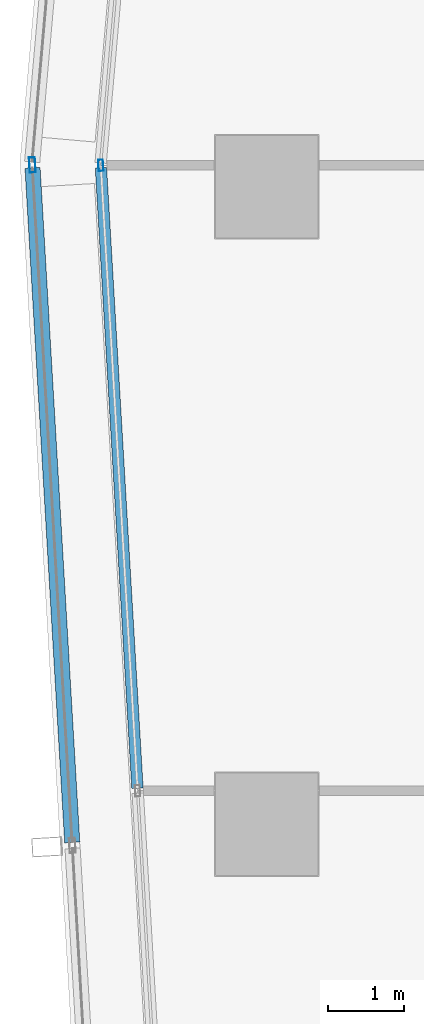
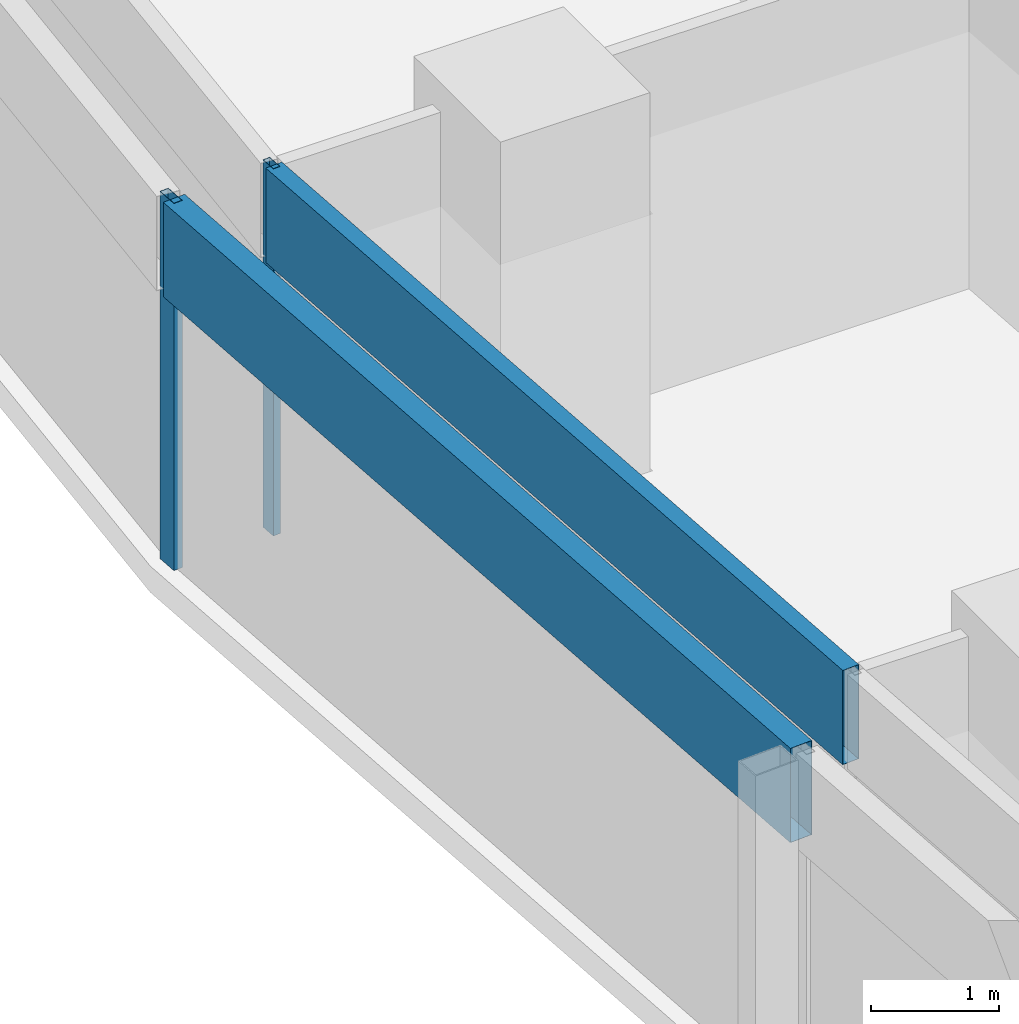
# One storey, part 9 of 39: 4 members, 2 elements without a shape of their own.
"""IFC4 building model written with IfcOpenShell, lengths in metres."""

from ifc_helpers import new_model, si_unit, direction, frame, origin, origin_2d, place, context, subcontext, project, spatial, hollow_rectangle, extrude, material, material_profile, profile_set, type_object, element, aggregate, save


model = new_model("IFC4")

# Units and contexts
model_context = context("Model", 3, precision=1e-05, world=origin(), true_north=direction((0.0, 1.0)))
body_context = subcontext(model_context, "Body", "Model", "MODEL_VIEW")
ifc_project = project(units=[si_unit("LENGTHUNIT", "METRE"), si_unit("AREAUNIT", "SQUARE_METRE"), si_unit("VOLUMEUNIT", "CUBIC_METRE"), si_unit("PLANEANGLEUNIT", "RADIAN"), si_unit("MASSUNIT", "GRAM", prefix="KILO")], contexts=[model_context])

# Site, building, storey
site_placement = place(None, origin())
site = spatial("IfcSite", under=ifc_project, at=site_placement, CompositionType="ELEMENT")
building_placement = place(site_placement, origin())
building = spatial("IfcBuilding", under=site, at=building_placement, Name="Rekha Terrace Tower", CompositionType="ELEMENT")
storey_placement = place(building_placement, frame((0.0, 0.0, 225.199951171875)))
storey = spatial("IfcBuildingStorey", under=building, at=storey_placement, Name="L57", CompositionType="ELEMENT", Elevation=225.199951171875)

# Curtain wall, members
ifc_material_1 = material(Name="Aluminium framing", Category="aluminium")
curtain_wall_type_1 = type_object("IfcCurtainWallType", Name="CW1 double skin inner glazing", PredefinedType="USERDEFINED", material=ifc_material_1)
curtain_wall_1_placement = place(storey_placement, origin())
curtain_wall_1 = element("IfcCurtainWall", 1, at=curtain_wall_1_placement, inside=storey, type_object=curtain_wall_type_1, Name="CW1 double skin inner glazing", ObjectType="DOUBLE SKIN INNER GLAZING", PredefinedType="USERDEFINED")
ifc_material_2 = material(Name="Aluminium mullion section", Category="aluminium")
ifc_material_profile_1 = material_profile(ifc_material_2, hollow_rectangle(XDim=0.06494140625, YDim=0.14990234375, WallThickness=0.00390625, at=origin_2d()), Name="AL RHS 65x150")
ifc_profile_set_1 = profile_set([ifc_material_profile_1], Name="Aluminium mullion section")
member_type_1 = type_object("IfcMemberType", Name="CW1 mullion RHS 65 x 150", PredefinedType="MULLION", material=ifc_profile_set_1)
member_1_placement = place(storey_placement, frame((6.214599609375, 42.281982421875, 0.0), z_axis=(0.0, 0.0, 1.0), x_axis=(0.998271839269, 0.058765082516, 0.0)))
member_1 = element("IfcMember", 2, at=member_1_placement, type_object=member_type_1, Name="CW1 mullion 1", PredefinedType="MULLION", context=body_context, shape_type="SweptSolid", body=[
    extrude(hollow_rectangle(XDim=0.06494140625, YDim=0.14990234375, WallThickness=0.00390625, at=origin_2d()), origin(), (0.0, 0.0, 1.0), 3.5),
])
ifc_material_3 = material(Name="Insulated aluminium spandrel box", Category="aluminium")
ifc_material_profile_2 = material_profile(ifc_material_3, hollow_rectangle(XDim=0.14990234375, YDim=0.89990234375, WallThickness=0.0029296875, at=origin_2d()), Name="AL SPANDREL BOX 150x900")
ifc_profile_set_2 = profile_set([ifc_material_profile_2], Name="Insulated aluminium spandrel box")
member_type_2 = type_object("IfcMemberType", Name="CW1 spandrel transom 150 x 900", PredefinedType="USERDEFINED", material=ifc_profile_set_2)
member_2_placement = place(storey_placement, frame((6.216552734375, 42.24951171875, 3.050048828125), z_axis=(0.058777934282, -0.998271082643, 0.0), x_axis=(0.998271082643, 0.058777934282, 0.0)))
member_2 = element("IfcMember", 3, at=member_2_placement, type_object=member_type_2, Name="CW1 spandrel transom 1", ObjectType="TRANSOM", PredefinedType="USERDEFINED", context=body_context, shape_type="SweptSolid", body=[
    extrude(hollow_rectangle(XDim=0.14990234375, YDim=0.89990234375, WallThickness=0.0029296875, at=origin_2d()), origin(), (0.0, 0.0, 1.0), 8.19091796875),
])
aggregate(curtain_wall_1, [member_1, member_2])

curtain_wall_type_2 = type_object("IfcCurtainWallType", Name="CW2 double skin outer glazing", PredefinedType="USERDEFINED", material=ifc_material_1)
curtain_wall_2_placement = place(storey_placement, origin())
curtain_wall_2 = element("IfcCurtainWall", 4, at=curtain_wall_2_placement, inside=storey, type_object=curtain_wall_type_2, Name="CW2 double skin outer glazing", ObjectType="DOUBLE SKIN OUTER GLAZING", PredefinedType="USERDEFINED")
ifc_material_profile_3 = material_profile(ifc_material_2, hollow_rectangle(XDim=0.080078125, YDim=0.199951171875, WallThickness=0.00390625, at=origin_2d()), Name="AL RHS 80x200")
ifc_profile_set_3 = profile_set([ifc_material_profile_3], Name="Aluminium mullion section")
member_type_3 = type_object("IfcMemberType", Name="CW2 mullion RHS 80 x 200", PredefinedType="MULLION", material=ifc_profile_set_3)
member_3_placement = place(storey_placement, frame((5.312744140625, 42.287841796875, 0.0), z_axis=(0.0, 0.0, 1.0), x_axis=(0.99827183927, 0.058765082499, 0.0)))
member_3 = element("IfcMember", 5, at=member_3_placement, type_object=member_type_3, Name="CW2 mullion 1", PredefinedType="MULLION", context=body_context, shape_type="SweptSolid", body=[
    extrude(hollow_rectangle(XDim=0.080078125, YDim=0.199951171875, WallThickness=0.00390625, at=origin_2d()), origin(), (0.0, 0.0, 1.0), 3.5),
])
ifc_material_profile_4 = material_profile(ifc_material_3, hollow_rectangle(XDim=0.199951171875, YDim=0.89990234375, WallThickness=0.0029296875, at=origin_2d()), Name="AL SPANDREL BOX 200x900")
ifc_profile_set_4 = profile_set([ifc_material_profile_4], Name="Insulated aluminium spandrel box")
member_type_4 = type_object("IfcMemberType", Name="CW2 spandrel transom 200 x 900", PredefinedType="USERDEFINED", material=ifc_profile_set_4)
member_4_placement = place(storey_placement, frame((5.315185546875, 42.247802734375, 3.050048828125), z_axis=(0.058762207171, -0.998272008527, 0.0), x_axis=(0.998272008527, 0.058762207171, 0.0)))
member_4 = element("IfcMember", 6, at=member_4_placement, type_object=member_type_4, Name="CW2 spandrel transom 1", ObjectType="TRANSOM", PredefinedType="USERDEFINED", context=body_context, shape_type="SweptSolid", body=[
    extrude(hollow_rectangle(XDim=0.199951171875, YDim=0.89990234375, WallThickness=0.0029296875, at=origin_2d()), origin(), (0.0, 0.0, 1.0), 8.903564453125),
])
aggregate(curtain_wall_2, [member_3, member_4])

save(model, "model.ifc")
